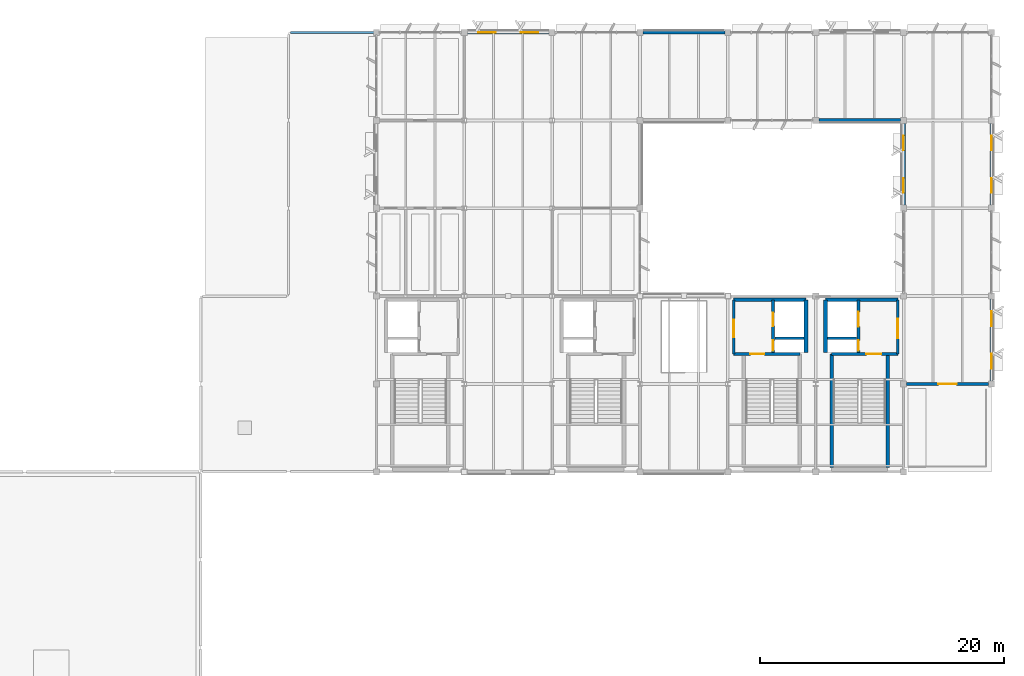
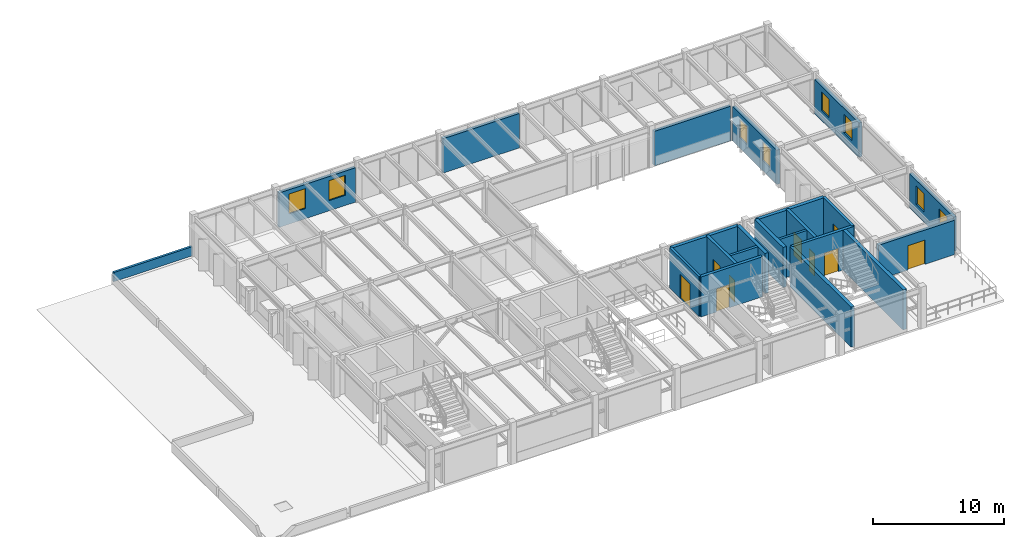
# One storey, part 7 of 23: 22 walls, 9 doors, 8 windows, 17 openings.
"""IFC4 building model written with IfcOpenShell, lengths in metres."""

from ifc_helpers import new_model, si_unit, direction, frame, frame_2d, origin, place, context, subcontext, project, spatial, rectangle, extrude, material, layer, layer_set, type_object, element, fill, save


model = new_model("IFC4")

# Units and contexts
model_context = context("Model", 3, precision=1e-05, world=origin(), true_north=direction((0.0, 1.0)))
body_context = subcontext(model_context, "Body", "Model", "MODEL_VIEW")
ifc_project = project(units=[si_unit("LENGTHUNIT", "METRE"), si_unit("AREAUNIT", "SQUARE_METRE"), si_unit("VOLUMEUNIT", "CUBIC_METRE"), si_unit("PLANEANGLEUNIT", "RADIAN"), si_unit("MASSUNIT", "GRAM", prefix="KILO")], contexts=[model_context])

# Site, building, storey
site_placement = place(None, origin())
site = spatial("IfcSite", under=ifc_project, at=site_placement, CompositionType="ELEMENT")
building_placement = place(site_placement, origin())
building = spatial("IfcBuilding", under=site, at=building_placement, Name="Sillqori Civic Hall", CompositionType="ELEMENT")
storey_placement = place(building_placement, frame((0.0, 0.0, 21.89990234375)))
storey = spatial("IfcBuildingStorey", under=building, at=storey_placement, Name="L06", CompositionType="ELEMENT", Elevation=21.89990234375)

# Wall
ifc_material_1 = material(Name="Concrete C35/45 (H35)", Category="concrete")
ifc_layer_1 = layer(ifc_material_1, 0.219970703125)
ifc_layer_set_1 = layer_set([ifc_layer_1], Name="Concrete C35/45 (H35)")
wall_type_1 = type_object("IfcWallType", Name="CW-SHR-220", PredefinedType="SHEAR", material=ifc_layer_set_1)
wall_1_placement = place(storey_placement, frame((83.050048828125, 90.14990234375, 0.0), z_axis=(0.0, 0.0, 1.0), x_axis=(1.0, 0.0, 0.0)))
element("IfcWall", 1, at=wall_1_placement, inside=storey, type_object=wall_type_1, Name="L06 C7 Lift-riser divider wall", PredefinedType="SHEAR", context=body_context, shape_type="SweptSolid", body=[
    extrude(rectangle(XDim=2.39990234375, YDim=0.219970703125, at=frame_2d((1.199951171875, 0.0))), origin(), (0.0, 0.0, 1.0), 3.72021484375),
])

# Wall, opening, door
wall_2_placement = place(storey_placement, frame((79.679931640625, 88.85009765625, 0.0), z_axis=(0.0, 0.0, 1.0), x_axis=(0.0, 1.0, 0.0)))
wall_2 = element("IfcWall", 2, at=wall_2_placement, inside=storey, type_object=wall_type_1, Name="L06 C7 firefighting lobby enclosure wall", PredefinedType="SHEAR", context=body_context, shape_type="SweptSolid", body=[
    extrude(rectangle(XDim=4.449951171875, YDim=0.219970703125, at=frame_2d((2.22509765625, 0.0))), origin(), (0.0, 0.0, 1.0), 3.72021484375),
])
opening_1_placement = place(wall_2_placement, frame((1.375, 0.0, 0.0)))
opening_1 = element("IfcOpeningElement", 3, at=opening_1_placement, cuts=wall_2, Name="Opening FD-03", PredefinedType="OPENING", context=body_context, shape_type="SweptSolid", body=[
    extrude(rectangle(XDim=1.449951171875, YDim=2.199951171875, at=frame_2d((0.72509765625, 1.10009765625))), frame((0.0, 0.119873046875, 0.0), z_axis=(0.0, -1.0, 0.0), x_axis=(1.0, 0.0, 0.0)), (0.0, 0.0, 1.0), 0.239990234375),
])
ifc_material_2 = material(Name="Double-Leaf Smoke-Seal Lobby Door", Category="steel")
door_type_1 = type_object("IfcDoorType", Name="FDR-LOB-145X220", OperationType="NOTDEFINED", PredefinedType="DOOR", material=ifc_material_2)
door_1_placement = place(opening_1_placement, origin())
door_1 = element("IfcDoor", 4, at=door_1_placement, inside=storey, type_object=door_type_1, Name="L06 C7 firefighting lobby exit door", OperationType="DOUBLE_DOOR_SINGLE_SWING", OverallHeight=2.199951171875, OverallWidth=1.449951171875, PredefinedType="DOOR", context=body_context, shape_type="SweptSolid", body=[
    extrude(rectangle(XDim=1.449951171875, YDim=2.199951171875, at=frame_2d((0.72509765625, 1.10009765625))), frame((0.0, 0.02490234375, 0.0), z_axis=(0.0, -1.0, 0.0), x_axis=(1.0, 0.0, 0.0)), (0.0, 0.0, 1.0), 0.050048828125),
])
fill(opening_1, door_1)

# Wall
wall_3_placement = place(storey_placement, frame((87.35009765625, 90.14990234375, 0.0), z_axis=(0.0, 0.0, 1.0), x_axis=(1.0, 0.0, 0.0)))
element("IfcWall", 5, at=wall_3_placement, inside=storey, type_object=wall_type_1, Name="L06 C8 Lift-riser divider wall", PredefinedType="SHEAR", context=body_context, shape_type="SweptSolid", body=[
    extrude(rectangle(XDim=2.39990234375, YDim=0.219970703125, at=frame_2d((1.199951171875, 0.0))), origin(), (0.0, 0.0, 1.0), 3.72021484375),
])

# Wall, opening, door
wall_4_placement = place(storey_placement, frame((93.1201171875, 93.300048828125, 0.0), z_axis=(0.0, 0.0, 1.0), x_axis=(0.0, -1.0, 0.0)))
wall_4 = element("IfcWall", 6, at=wall_4_placement, inside=storey, type_object=wall_type_1, Name="L06 C8 firefighting lobby enclosure wall", PredefinedType="SHEAR", context=body_context, shape_type="SweptSolid", body=[
    extrude(rectangle(XDim=4.449951171875, YDim=0.219970703125, at=frame_2d((2.22509765625, 0.0))), origin(), (0.0, 0.0, 1.0), 3.72021484375),
])
opening_2_placement = place(wall_4_placement, frame((1.550048828125, 0.0, 0.0)))
opening_2 = element("IfcOpeningElement", 7, at=opening_2_placement, cuts=wall_4, Name="Opening FD-04", PredefinedType="OPENING", context=body_context, shape_type="SweptSolid", body=[
    extrude(rectangle(XDim=1.60009765625, YDim=2.199951171875, at=frame_2d((0.800048828125, 1.10009765625))), frame((0.0, 0.119873046875, 0.0), z_axis=(0.0, -1.0, 0.0), x_axis=(1.0, 0.0, 0.0)), (0.0, 0.0, 1.0), 0.239990234375),
])
ifc_material_3 = material(Name="Double-Leaf Firefighting Lobby Door", Category="steel")
door_type_2 = type_object("IfcDoorType", Name="FDR-LOB-160X220", OperationType="NOTDEFINED", PredefinedType="DOOR", material=ifc_material_3)
door_2_placement = place(opening_2_placement, origin())
door_2 = element("IfcDoor", 8, at=door_2_placement, inside=storey, type_object=door_type_2, Name="L06 C8 firefighting lobby exit door", OperationType="DOUBLE_DOOR_SINGLE_SWING", OverallHeight=2.199951171875, OverallWidth=1.60009765625, PredefinedType="DOOR", context=body_context, shape_type="SweptSolid", body=[
    extrude(rectangle(XDim=1.60009765625, YDim=2.199951171875, at=frame_2d((0.800048828125, 1.10009765625))), frame((0.0, 0.02490234375, 0.0), z_axis=(0.0, -1.0, 0.0), x_axis=(1.0, 0.0, 0.0)), (0.0, 0.0, 1.0), 0.050048828125),
])
fill(opening_2, door_2)

ifc_layer_2 = layer(ifc_material_1, 0.260009765625)
ifc_layer_set_2 = layer_set([ifc_layer_2], Name="Concrete C35/45 (H35)")
wall_type_2 = type_object("IfcWallType", Name="CW-SHR-260", PredefinedType="SHEAR", material=ifc_layer_set_2)
wall_5_placement = place(storey_placement, frame((79.679931640625, 88.85009765625, 0.0), z_axis=(0.0, 0.0, 1.0), x_axis=(1.0, 0.0, 0.0)))
wall_5 = element("IfcWall", 9, at=wall_5_placement, inside=storey, type_object=wall_type_2, Name="L06 C7 Stair-lobby fire wall", PredefinedType="SHEAR", context=body_context, shape_type="SweptSolid", body=[
    extrude(rectangle(XDim=5.41015625, YDim=0.260009765625, at=frame_2d((2.705078125, 0.0))), origin(), (0.0, 0.0, 1.0), 3.72021484375),
])
opening_3_placement = place(wall_5_placement, frame((1.3701171875, 0.0, 0.0)))
opening_3 = element("IfcOpeningElement", 10, at=opening_3_placement, cuts=wall_5, Name="Opening FD-01", PredefinedType="OPENING", context=body_context, shape_type="SweptSolid", body=[
    extrude(rectangle(XDim=1.14990234375, YDim=2.14990234375, at=frame_2d((0.574951171875, 1.074951171875))), frame((0.0, 0.139892578125, 0.0), z_axis=(0.0, -1.0, 0.0), x_axis=(1.0, 0.0, 0.0)), (0.0, 0.0, 1.0), 0.280029296875),
])
ifc_material_4 = material(Name="Galvanized Steel Fire Door FD90S", Category="steel")
door_type_3 = type_object("IfcDoorType", Name="FDR-STR-115X215", OperationType="NOTDEFINED", PredefinedType="DOOR", material=ifc_material_4)
door_3_placement = place(opening_3_placement, origin())
door_3 = element("IfcDoor", 11, at=door_3_placement, inside=storey, type_object=door_type_3, Name="L06 stair ST-07 fire door", OperationType="SINGLE_SWING_RIGHT", OverallHeight=2.14990234375, OverallWidth=1.14990234375, PredefinedType="DOOR", context=body_context, shape_type="SweptSolid", body=[
    extrude(rectangle(XDim=1.14990234375, YDim=2.14990234375, at=frame_2d((0.574951171875, 1.074951171875))), frame((0.0, 0.02490234375, 0.0), z_axis=(0.0, -1.0, 0.0), x_axis=(1.0, 0.0, 0.0)), (0.0, 0.0, 1.0), 0.050048828125),
])
fill(opening_3, door_3)

# Wall, openings, doors
wall_6_placement = place(storey_placement, frame((82.89990234375, 88.97998046875, 0.0), z_axis=(0.0, 0.0, 1.0), x_axis=(0.0, 1.0, 0.0)))
wall_6 = element("IfcWall", 12, at=wall_6_placement, inside=storey, type_object=wall_type_2, Name="L06 C7 Lift landing & riser front wall", PredefinedType="SHEAR", context=body_context, shape_type="SweptSolid", body=[
    extrude(rectangle(XDim=4.320068359375, YDim=0.260009765625, at=frame_2d((2.16015625, 0.0))), origin(), (0.0, 0.0, 1.0), 3.72021484375),
])
opening_4_placement = place(wall_6_placement, frame((2.169921875, 0.0, 0.0)))
opening_4 = element("IfcOpeningElement", 13, at=opening_4_placement, cuts=wall_6, Name="Opening LD-01", PredefinedType="OPENING", context=body_context, shape_type="SweptSolid", body=[
    extrude(rectangle(XDim=1.10009765625, YDim=2.14990234375, at=frame_2d((0.550048828125, 1.074951171875))), frame((0.0, 0.139892578125, 0.0), z_axis=(0.0, -1.0, 0.0), x_axis=(1.0, 0.0, 0.0)), (0.0, 0.0, 1.0), 0.280029296875),
])
opening_5_placement = place(wall_6_placement, frame((0.14501953125, 0.0, 0.0)))
opening_5 = element("IfcOpeningElement", 14, at=opening_5_placement, cuts=wall_6, Name="Opening FD-05", PredefinedType="OPENING", context=body_context, shape_type="SweptSolid", body=[
    extrude(rectangle(XDim=0.85009765625, YDim=2.050048828125, at=frame_2d((0.425048828125, 1.02490234375))), frame((0.0, 0.139892578125, 0.0), z_axis=(0.0, -1.0, 0.0), x_axis=(1.0, 0.0, 0.0)), (0.0, 0.0, 1.0), 0.280029296875),
])
ifc_material_5 = material(Name="Steel Riser Access Fire Door", Category="steel")
door_type_4 = type_object("IfcDoorType", Name="FDR-RSR-085X205", OperationType="NOTDEFINED", PredefinedType="DOOR", material=ifc_material_5)
door_4_placement = place(opening_5_placement, origin())
door_4 = element("IfcDoor", 15, at=door_4_placement, inside=storey, type_object=door_type_4, Name="L06 MEP riser C7 fire access door", OperationType="SINGLE_SWING_LEFT", OverallHeight=2.050048828125, OverallWidth=0.85009765625, PredefinedType="DOOR", context=body_context, shape_type="SweptSolid", body=[
    extrude(rectangle(XDim=0.85009765625, YDim=2.050048828125, at=frame_2d((0.425048828125, 1.02490234375))), frame((0.0, 0.02490234375, 0.0), z_axis=(0.0, -1.0, 0.0), x_axis=(1.0, 0.0, 0.0)), (0.0, 0.0, 1.0), 0.050048828125),
])
fill(opening_5, door_4)
ifc_material_6 = material(Name="Stainless Steel Lift Landing Door", Category="steel")
door_type_5 = type_object("IfcDoorType", Name="LDR-PASS-110X215", OperationType="NOTDEFINED", PredefinedType="DOOR", material=ifc_material_6)
door_5_placement = place(opening_4_placement, origin())
door_5 = element("IfcDoor", 16, at=door_5_placement, inside=storey, type_object=door_type_5, Name="L06 lift LF-04 sliding landing door", OperationType="DOUBLE_DOOR_SLIDING", OverallHeight=2.14990234375, OverallWidth=1.10009765625, PredefinedType="DOOR", context=body_context, shape_type="SweptSolid", body=[
    extrude(rectangle(XDim=1.10009765625, YDim=2.14990234375, at=frame_2d((0.550048828125, 1.074951171875))), frame((0.0, 0.02490234375, 0.0), z_axis=(0.0, -1.0, 0.0), x_axis=(1.0, 0.0, 0.0)), (0.0, 0.0, 1.0), 0.050048828125),
])
fill(opening_4, door_5)

# Wall, opening, door
wall_7_placement = place(storey_placement, frame((87.7099609375, 88.85009765625, 0.0), z_axis=(0.0, 0.0, 1.0), x_axis=(1.0, 0.0, 0.0)))
wall_7 = element("IfcWall", 17, at=wall_7_placement, inside=storey, type_object=wall_type_2, Name="L06 C8 Stair-lobby fire wall", PredefinedType="SHEAR", context=body_context, shape_type="SweptSolid", body=[
    extrude(rectangle(XDim=5.41015625, YDim=0.260009765625, at=frame_2d((2.705078125, 0.0))), origin(), (0.0, 0.0, 1.0), 3.72021484375),
])
opening_6_placement = place(wall_7_placement, frame((2.840087890625, 0.0, 0.0)))
opening_6 = element("IfcOpeningElement", 18, at=opening_6_placement, cuts=wall_7, Name="Opening FD-02", PredefinedType="OPENING", context=body_context, shape_type="SweptSolid", body=[
    extrude(rectangle(XDim=1.219970703125, YDim=2.14990234375, at=frame_2d((0.60986328125, 1.074951171875))), frame((0.0, 0.139892578125, 0.0), z_axis=(0.0, -1.0, 0.0), x_axis=(1.0, 0.0, 0.0)), (0.0, 0.0, 1.0), 0.280029296875),
])
ifc_material_7 = material(Name="Galvanized Steel Fire Door FD120S", Category="steel")
door_type_6 = type_object("IfcDoorType", Name="FDR-STR-122X215", OperationType="NOTDEFINED", PredefinedType="DOOR", material=ifc_material_7)
door_6_placement = place(opening_6_placement, origin())
door_6 = element("IfcDoor", 19, at=door_6_placement, inside=storey, type_object=door_type_6, Name="L06 stair ST-08 fire door", OperationType="SINGLE_SWING_RIGHT", OverallHeight=2.14990234375, OverallWidth=1.219970703125, PredefinedType="DOOR", context=body_context, shape_type="SweptSolid", body=[
    extrude(rectangle(XDim=1.219970703125, YDim=2.14990234375, at=frame_2d((0.60986328125, 1.074951171875))), frame((0.0, 0.02490234375, 0.0), z_axis=(0.0, -1.0, 0.0), x_axis=(1.0, 0.0, 0.0)), (0.0, 0.0, 1.0), 0.050048828125),
])
fill(opening_6, door_6)

# Wall, openings, doors
wall_8_placement = place(storey_placement, frame((89.89990234375, 93.300048828125, 0.0), z_axis=(0.0, 0.0, 1.0), x_axis=(0.0, -1.0, 0.0)))
wall_8 = element("IfcWall", 20, at=wall_8_placement, inside=storey, type_object=wall_type_2, Name="L06 C8 Lift landing & riser front wall", PredefinedType="SHEAR", context=body_context, shape_type="SweptSolid", body=[
    extrude(rectangle(XDim=4.320068359375, YDim=0.260009765625, at=frame_2d((2.16015625, 0.0))), origin(), (0.0, 0.0, 1.0), 3.72021484375),
])
opening_7_placement = place(wall_8_placement, frame((1.0, 0.0, 0.0)))
opening_7 = element("IfcOpeningElement", 21, at=opening_7_placement, cuts=wall_8, Name="Opening LD-02", PredefinedType="OPENING", context=body_context, shape_type="SweptSolid", body=[
    extrude(rectangle(XDim=1.199951171875, YDim=2.14990234375, at=frame_2d((0.60009765625, 1.074951171875))), frame((0.0, 0.139892578125, 0.0), z_axis=(0.0, -1.0, 0.0), x_axis=(1.0, 0.0, 0.0)), (0.0, 0.0, 1.0), 0.280029296875),
])
opening_8_placement = place(wall_8_placement, frame((3.324951171875, 0.0, 0.0)))
opening_8 = element("IfcOpeningElement", 22, at=opening_8_placement, cuts=wall_8, Name="Opening FD-05", PredefinedType="OPENING", context=body_context, shape_type="SweptSolid", body=[
    extrude(rectangle(XDim=0.85009765625, YDim=2.050048828125, at=frame_2d((0.425048828125, 1.02490234375))), frame((0.0, 0.139892578125, 0.0), z_axis=(0.0, -1.0, 0.0), x_axis=(1.0, 0.0, 0.0)), (0.0, 0.0, 1.0), 0.280029296875),
])
door_7_placement = place(opening_8_placement, origin())
door_7 = element("IfcDoor", 23, at=door_7_placement, inside=storey, type_object=door_type_4, Name="L06 MEP riser C8 fire access door", OperationType="SINGLE_SWING_LEFT", OverallHeight=2.050048828125, OverallWidth=0.85009765625, PredefinedType="DOOR", context=body_context, shape_type="SweptSolid", body=[
    extrude(rectangle(XDim=0.85009765625, YDim=2.050048828125, at=frame_2d((0.425048828125, 1.02490234375))), frame((0.0, 0.02490234375, 0.0), z_axis=(0.0, -1.0, 0.0), x_axis=(1.0, 0.0, 0.0)), (0.0, 0.0, 1.0), 0.050048828125),
])
fill(opening_8, door_7)
ifc_material_8 = material(Name="Firefighting Lift Landing Door", Category="steel")
door_type_7 = type_object("IfcDoorType", Name="LDR-FIRE-120X215", OperationType="NOTDEFINED", PredefinedType="DOOR", material=ifc_material_8)
door_8_placement = place(opening_7_placement, origin())
door_8 = element("IfcDoor", 24, at=door_8_placement, inside=storey, type_object=door_type_7, Name="L06 lift LF-02 sliding landing door", OperationType="DOUBLE_DOOR_SLIDING", OverallHeight=2.14990234375, OverallWidth=1.199951171875, PredefinedType="DOOR", context=body_context, shape_type="SweptSolid", body=[
    extrude(rectangle(XDim=1.199951171875, YDim=2.14990234375, at=frame_2d((0.60009765625, 1.074951171875))), frame((0.0, 0.02490234375, 0.0), z_axis=(0.0, -1.0, 0.0), x_axis=(1.0, 0.0, 0.0)), (0.0, 0.0, 1.0), 0.050048828125),
])
fill(opening_7, door_8)

# Walls
ifc_layer_3 = layer(ifc_material_1, 0.300048828125)
ifc_layer_set_3 = layer_set([ifc_layer_3], Name="Concrete C35/45 (H35)")
wall_type_3 = type_object("IfcWallType", Name="CW-SHR-300", PredefinedType="SHEAR", material=ifc_layer_set_3)
wall_9_placement = place(storey_placement, frame((85.60009765625, 88.97998046875, 0.0), z_axis=(0.0, 0.0, 1.0), x_axis=(0.0, 1.0, 0.0)))
element("IfcWall", 25, at=wall_9_placement, inside=storey, type_object=wall_type_3, Name="L06 C7 Lift shaft east shear wall", PredefinedType="SHEAR", context=body_context, shape_type="SweptSolid", body=[
    extrude(rectangle(XDim=4.320068359375, YDim=0.300048828125, at=frame_2d((2.16015625, 0.0))), origin(), (0.0, 0.0, 1.0), 3.72021484375),
])
wall_10_placement = place(storey_placement, frame((79.679931640625, 93.300048828125, 0.0), z_axis=(0.0, 0.0, 1.0), x_axis=(1.0, 0.0, 0.0)))
element("IfcWall", 26, at=wall_10_placement, inside=storey, type_object=wall_type_3, Name="L06 C7 Core north shear wall", PredefinedType="SHEAR", context=body_context, shape_type="SweptSolid", body=[
    extrude(rectangle(XDim=5.920166015625, YDim=0.300048828125, at=frame_2d((2.9599609375, 0.0))), origin(), (0.0, 0.0, 1.0), 3.72021484375),
])
for number, where, z_axis, x_axis, name in (
    (27, (87.7099609375, 79.550048828125, 0.0), (0.0, 0.0, 1.0), (0.0, 1.0, 0.0), "L06 C8 Stair west shear wall"),
    (28, (92.2900390625, 79.550048828125, 0.0), (0.0, 0.0, 1.0), (0.0, 1.0, 0.0), "L06 C8 Stair east shear wall"),
):
    element("IfcWall", number, at=place(storey_placement, frame(where, z_axis=z_axis, x_axis=x_axis)), inside=storey, type_object=wall_type_3, Name=name, PredefinedType="SHEAR", context=body_context, shape_type="SweptSolid", body=[
        extrude(rectangle(XDim=9.300048828125, YDim=0.300048828125, at=frame_2d((4.64990234375, 0.0))), origin(), (0.0, 0.0, 1.0), 3.72021484375),
    ])
wall_11_placement = place(storey_placement, frame((87.199951171875, 88.97998046875, 0.0), z_axis=(0.0, 0.0, 1.0), x_axis=(0.0, 1.0, 0.0)))
element("IfcWall", 29, at=wall_11_placement, inside=storey, type_object=wall_type_3, Name="L06 C8 Lift shaft west shear wall", PredefinedType="SHEAR", context=body_context, shape_type="SweptSolid", body=[
    extrude(rectangle(XDim=4.320068359375, YDim=0.300048828125, at=frame_2d((2.16015625, 0.0))), origin(), (0.0, 0.0, 1.0), 3.72021484375),
])
wall_12_placement = place(storey_placement, frame((87.199951171875, 93.300048828125, 0.0), z_axis=(0.0, 0.0, 1.0), x_axis=(1.0, 0.0, 0.0)))
element("IfcWall", 30, at=wall_12_placement, inside=storey, type_object=wall_type_3, Name="L06 C8 Core north shear wall", PredefinedType="SHEAR", context=body_context, shape_type="SweptSolid", body=[
    extrude(rectangle(XDim=5.920166015625, YDim=0.300048828125, at=frame_2d((2.9599609375, 0.0))), origin(), (0.0, 0.0, 1.0), 3.72021484375),
])

# Wall, openings, windows
ifc_material_9 = material(Name="Precast concrete C40/50 (H40)", Category="concrete")
ifc_layer_4 = layer(ifc_material_9, 0.280029296875)
ifc_layer_set_4 = layer_set([ifc_layer_4], Name="Precast concrete C40/50 (H40)")
wall_type_4 = type_object("IfcWallType", Name="EW-LIME-280", PredefinedType="SOLIDWALL", material=ifc_layer_set_4)
wall_13_placement = place(storey_placement, frame((57.85009765625, 115.199951171875, 0.0), z_axis=(0.0, 0.0, 1.0), x_axis=(1.0, 0.0, 0.0)))
wall_13 = element("IfcWall", 31, at=wall_13_placement, inside=storey, type_object=wall_type_4, Name="L06 V4 exterior wall L06-08-15-N", PredefinedType="SOLIDWALL", context=body_context, shape_type="SweptSolid", body=[
    extrude(rectangle(XDim=6.699951171875, YDim=0.280029296875, at=frame_2d((3.35009765625, 0.0))), origin(), (0.0, 0.0, 1.0), 3.192138671875),
])
opening_9_placement = place(wall_13_placement, frame((0.883056640625, 0.0, 0.949951171875)))
opening_9 = element("IfcOpeningElement", 32, at=opening_9_placement, cuts=wall_13, Name="Opening W-43", PredefinedType="OPENING", context=body_context, shape_type="SweptSolid", body=[
    extrude(rectangle(XDim=1.449951171875, YDim=1.85009765625, at=frame_2d((0.72509765625, 0.925048828125))), frame((0.0, 0.14990234375, 0.0), z_axis=(0.0, -1.0, 0.0), x_axis=(1.0, 0.0, 0.0)), (0.0, 0.0, 1.0), 0.300048828125),
])
opening_10_placement = place(wall_13_placement, frame((4.366943359375, 0.0, 0.949951171875)))
opening_10 = element("IfcOpeningElement", 33, at=opening_10_placement, cuts=wall_13, Name="Opening W-43", PredefinedType="OPENING", context=body_context, shape_type="SweptSolid", body=[
    extrude(rectangle(XDim=1.449951171875, YDim=1.85009765625, at=frame_2d((0.72509765625, 0.925048828125))), frame((0.0, 0.14990234375, 0.0), z_axis=(0.0, -1.0, 0.0), x_axis=(1.0, 0.0, 0.0)), (0.0, 0.0, 1.0), 0.300048828125),
])
ifc_material_10 = material(Name="Thermally Broken Aluminium Low-E Window", Category="aluminium")
window_type_1 = type_object("IfcWindowType", Name="WIN-GD-145X185", PartitioningType="SINGLE_PANEL", PredefinedType="WINDOW", material=ifc_material_10)
window_1_placement = place(opening_9_placement, origin())
window_1 = element("IfcWindow", 34, at=window_1_placement, inside=storey, type_object=window_type_1, Name="L06 V4 window L06-08-15-N.1", OverallHeight=1.85009765625, OverallWidth=1.449951171875, PartitioningType="SINGLE_PANEL", PredefinedType="WINDOW", context=body_context, shape_type="SweptSolid", body=[
    extrude(rectangle(XDim=1.449951171875, YDim=1.85009765625, at=frame_2d((0.72509765625, 0.925048828125))), frame((0.0, 0.030029296875, 0.0), z_axis=(0.0, -1.0, 0.0), x_axis=(1.0, 0.0, 0.0)), (0.0, 0.0, 1.0), 0.06005859375),
])
fill(opening_9, window_1)
window_2_placement = place(opening_10_placement, origin())
window_2 = element("IfcWindow", 35, at=window_2_placement, inside=storey, type_object=window_type_1, Name="L06 V4 window L06-08-15-N.2", OverallHeight=1.85009765625, OverallWidth=1.449951171875, PartitioningType="SINGLE_PANEL", PredefinedType="WINDOW", context=body_context, shape_type="SweptSolid", body=[
    extrude(rectangle(XDim=1.449951171875, YDim=1.85009765625, at=frame_2d((0.72509765625, 0.925048828125))), frame((0.0, 0.030029296875, 0.0), z_axis=(0.0, -1.0, 0.0), x_axis=(1.0, 0.0, 0.0)), (0.0, 0.0, 1.0), 0.06005859375),
])
fill(opening_10, window_2)

# Walls
wall_14_placement = place(storey_placement, frame((72.25, 115.199951171875, 0.0), z_axis=(0.0, 0.0, 1.0), x_axis=(1.0, 0.0, 0.0)))
element("IfcWall", 36, at=wall_14_placement, inside=storey, type_object=wall_type_4, Name="L06 V4 exterior wall L06-10-15-N", PredefinedType="SOLIDWALL", context=body_context, shape_type="SweptSolid", body=[
    extrude(rectangle(XDim=6.699951171875, YDim=0.280029296875, at=frame_2d((3.35009765625, 0.0))), origin(), (0.0, 0.0, 1.0), 3.192138671875),
])
wall_15_placement = place(storey_placement, frame((93.35009765625, 108.0, 0.0), z_axis=(0.0, 0.0, 1.0), x_axis=(-1.0, 0.0, 0.0)))
element("IfcWall", 37, at=wall_15_placement, inside=storey, type_object=wall_type_4, Name="L06 V4 exterior wall L06-12-15-S", PredefinedType="SOLIDWALL", context=body_context, shape_type="SweptSolid", body=[
    extrude(rectangle(XDim=6.7001953125, YDim=0.280029296875, at=frame_2d((3.35009765625, 0.0))), origin(), (0.0, 0.0, 1.0), 3.192138671875),
])

# Wall, opening, door
wall_16_placement = place(storey_placement, frame((100.550048828125, 86.39990234375, 0.0), z_axis=(0.0, 0.0, 1.0), x_axis=(-1.0, 0.0, 0.0)))
wall_16 = element("IfcWall", 38, at=wall_16_placement, inside=storey, type_object=wall_type_4, Name="L06 V4 exterior wall L06-13-12-S", PredefinedType="SOLIDWALL", context=body_context, shape_type="SweptSolid", body=[
    extrude(rectangle(XDim=6.699951171875, YDim=0.280029296875, at=frame_2d((3.35009765625, 0.0))), origin(), (0.0, 0.0, 1.0), 3.192138671875),
])
opening_11_placement = place(wall_16_placement, frame((2.60009765625, 0.0, 0.0)))
opening_11 = element("IfcOpeningElement", 39, at=opening_11_placement, cuts=wall_16, Name="Opening ED-06", PredefinedType="OPENING", context=body_context, shape_type="SweptSolid", body=[
    extrude(rectangle(XDim=1.5, YDim=2.25, at=frame_2d((0.75, 1.125))), frame((0.0, 0.14990234375, 0.0), z_axis=(0.0, -1.0, 0.0), x_axis=(1.0, 0.0, 0.0)), (0.0, 0.0, 1.0), 0.300048828125),
])
ifc_material_11 = material(Name="Thermally Broken Anodized Aluminium and Laminated Glass", Category="aluminium")
door_type_8 = type_object("IfcDoorType", Name="EDR-TERR-150X225", OperationType="NOTDEFINED", PredefinedType="DOOR", material=ifc_material_11)
door_9_placement = place(opening_11_placement, origin())
door_9 = element("IfcDoor", 40, at=door_9_placement, inside=storey, type_object=door_type_8, Name="Mayoral East Setback Terrace Access Door", OperationType="DOUBLE_DOOR_SINGLE_SWING", OverallHeight=2.25, OverallWidth=1.5, PredefinedType="DOOR", context=body_context, shape_type="SweptSolid", body=[
    extrude(rectangle(XDim=1.5, YDim=2.25, at=frame_2d((0.75, 1.125))), frame((0.0, 0.02490234375, 0.0), z_axis=(0.0, -1.0, 0.0), x_axis=(1.0, 0.0, 0.0)), (0.0, 0.0, 1.0), 0.050048828125),
])
fill(opening_11, door_9)

# Wall, openings, windows
wall_17_placement = place(storey_placement, frame((100.800048828125, 93.35009765625, 0.0), z_axis=(0.0, 0.0, 1.0), x_axis=(0.0, -1.0, 0.0)))
wall_17 = element("IfcWall", 41, at=wall_17_placement, inside=storey, type_object=wall_type_4, Name="L06 V4 exterior wall L06-13-12-E", PredefinedType="SOLIDWALL", context=body_context, shape_type="SweptSolid", body=[
    extrude(rectangle(XDim=6.7001953125, YDim=0.280029296875, at=frame_2d((3.35009765625, 0.0))), origin(), (0.0, 0.0, 1.0), 3.192138671875),
])
opening_12_placement = place(wall_17_placement, frame((1.008056640625, 0.0, 0.949951171875)))
opening_12 = element("IfcOpeningElement", 42, at=opening_12_placement, cuts=wall_17, Name="Opening W-22", PredefinedType="OPENING", context=body_context, shape_type="SweptSolid", body=[
    extrude(rectangle(XDim=1.199951171875, YDim=1.699951171875, at=frame_2d((0.60009765625, 0.85009765625))), frame((0.0, 0.14990234375, 0.0), z_axis=(0.0, -1.0, 0.0), x_axis=(1.0, 0.0, 0.0)), (0.0, 0.0, 1.0), 0.300048828125),
])
opening_13_placement = place(wall_17_placement, frame((4.491943359375, 0.0, 0.949951171875)))
opening_13 = element("IfcOpeningElement", 43, at=opening_13_placement, cuts=wall_17, Name="Opening W-22", PredefinedType="OPENING", context=body_context, shape_type="SweptSolid", body=[
    extrude(rectangle(XDim=1.199951171875, YDim=1.699951171875, at=frame_2d((0.60009765625, 0.85009765625))), frame((0.0, 0.14990234375, 0.0), z_axis=(0.0, -1.0, 0.0), x_axis=(1.0, 0.0, 0.0)), (0.0, 0.0, 1.0), 0.300048828125),
])
window_type_2 = type_object("IfcWindowType", Name="WIN-V5-120X170", PartitioningType="SINGLE_PANEL", PredefinedType="WINDOW", material=ifc_material_10)
window_3_placement = place(opening_12_placement, origin())
window_3 = element("IfcWindow", 44, at=window_3_placement, inside=storey, type_object=window_type_2, Name="L06 V4 window L06-13-12-E.1", OverallHeight=1.699951171875, OverallWidth=1.199951171875, PartitioningType="SINGLE_PANEL", PredefinedType="WINDOW", context=body_context, shape_type="SweptSolid", body=[
    extrude(rectangle(XDim=1.199951171875, YDim=1.699951171875, at=frame_2d((0.60009765625, 0.85009765625))), frame((0.0, 0.030029296875, 0.0), z_axis=(0.0, -1.0, 0.0), x_axis=(1.0, 0.0, 0.0)), (0.0, 0.0, 1.0), 0.06005859375),
])
fill(opening_12, window_3)
window_4_placement = place(opening_13_placement, origin())
window_4 = element("IfcWindow", 45, at=window_4_placement, inside=storey, type_object=window_type_2, Name="L06 V4 window L06-13-12-E.2", OverallHeight=1.699951171875, OverallWidth=1.199951171875, PartitioningType="SINGLE_PANEL", PredefinedType="WINDOW", context=body_context, shape_type="SweptSolid", body=[
    extrude(rectangle(XDim=1.199951171875, YDim=1.699951171875, at=frame_2d((0.60009765625, 0.85009765625))), frame((0.0, 0.030029296875, 0.0), z_axis=(0.0, -1.0, 0.0), x_axis=(1.0, 0.0, 0.0)), (0.0, 0.0, 1.0), 0.06005859375),
])
fill(opening_13, window_4)

wall_18_placement = place(storey_placement, frame((93.60009765625, 101.050048828125, 0.0), z_axis=(0.0, 0.0, 1.0), x_axis=(0.0, 1.0, 0.0)))
wall_18 = element("IfcWall", 46, at=wall_18_placement, inside=storey, type_object=wall_type_4, Name="L06 V4 exterior wall L06-13-14-W", PredefinedType="SOLIDWALL", context=body_context, shape_type="SweptSolid", body=[
    extrude(rectangle(XDim=6.699951171875, YDim=0.280029296875, at=frame_2d((3.35009765625, 0.0))), origin(), (0.0, 0.0, 1.0), 3.192138671875),
])
opening_14_placement = place(wall_18_placement, frame((1.008056640625, 0.0, 0.949951171875)))
opening_14 = element("IfcOpeningElement", 47, at=opening_14_placement, cuts=wall_18, Name="Opening W-22", PredefinedType="OPENING", context=body_context, shape_type="SweptSolid", body=[
    extrude(rectangle(XDim=1.199951171875, YDim=1.699951171875, at=frame_2d((0.60009765625, 0.85009765625))), frame((0.0, 0.14990234375, 0.0), z_axis=(0.0, -1.0, 0.0), x_axis=(1.0, 0.0, 0.0)), (0.0, 0.0, 1.0), 0.300048828125),
])
opening_15_placement = place(wall_18_placement, frame((4.491943359375, 0.0, 0.949951171875)))
opening_15 = element("IfcOpeningElement", 48, at=opening_15_placement, cuts=wall_18, Name="Opening W-22", PredefinedType="OPENING", context=body_context, shape_type="SweptSolid", body=[
    extrude(rectangle(XDim=1.199951171875, YDim=1.699951171875, at=frame_2d((0.60009765625, 0.85009765625))), frame((0.0, 0.14990234375, 0.0), z_axis=(0.0, -1.0, 0.0), x_axis=(1.0, 0.0, 0.0)), (0.0, 0.0, 1.0), 0.300048828125),
])
window_5_placement = place(opening_14_placement, origin())
window_5 = element("IfcWindow", 49, at=window_5_placement, inside=storey, type_object=window_type_2, Name="L06 V4 window L06-13-14-W.1", OverallHeight=1.699951171875, OverallWidth=1.199951171875, PartitioningType="SINGLE_PANEL", PredefinedType="WINDOW", context=body_context, shape_type="SweptSolid", body=[
    extrude(rectangle(XDim=1.199951171875, YDim=1.699951171875, at=frame_2d((0.60009765625, 0.85009765625))), frame((0.0, 0.030029296875, 0.0), z_axis=(0.0, -1.0, 0.0), x_axis=(1.0, 0.0, 0.0)), (0.0, 0.0, 1.0), 0.06005859375),
])
fill(opening_14, window_5)
window_6_placement = place(opening_15_placement, origin())
window_6 = element("IfcWindow", 50, at=window_6_placement, inside=storey, type_object=window_type_2, Name="L06 V4 window L06-13-14-W.2", OverallHeight=1.699951171875, OverallWidth=1.199951171875, PartitioningType="SINGLE_PANEL", PredefinedType="WINDOW", context=body_context, shape_type="SweptSolid", body=[
    extrude(rectangle(XDim=1.199951171875, YDim=1.699951171875, at=frame_2d((0.60009765625, 0.85009765625))), frame((0.0, 0.030029296875, 0.0), z_axis=(0.0, -1.0, 0.0), x_axis=(1.0, 0.0, 0.0)), (0.0, 0.0, 1.0), 0.06005859375),
])
fill(opening_15, window_6)

wall_19_placement = place(storey_placement, frame((100.800048828125, 107.75, 0.0), z_axis=(0.0, 0.0, 1.0), x_axis=(0.0, -1.0, 0.0)))
wall_19 = element("IfcWall", 51, at=wall_19_placement, inside=storey, type_object=wall_type_4, Name="L06 V4 exterior wall L06-13-14-E", PredefinedType="SOLIDWALL", context=body_context, shape_type="SweptSolid", body=[
    extrude(rectangle(XDim=6.699951171875, YDim=0.280029296875, at=frame_2d((3.35009765625, 0.0))), origin(), (0.0, 0.0, 1.0), 3.192138671875),
])
opening_16_placement = place(wall_19_placement, frame((1.008056640625, 0.0, 0.949951171875)))
opening_16 = element("IfcOpeningElement", 52, at=opening_16_placement, cuts=wall_19, Name="Opening W-22", PredefinedType="OPENING", context=body_context, shape_type="SweptSolid", body=[
    extrude(rectangle(XDim=1.199951171875, YDim=1.699951171875, at=frame_2d((0.60009765625, 0.85009765625))), frame((0.0, 0.14990234375, 0.0), z_axis=(0.0, -1.0, 0.0), x_axis=(1.0, 0.0, 0.0)), (0.0, 0.0, 1.0), 0.300048828125),
])
opening_17_placement = place(wall_19_placement, frame((4.491943359375, 0.0, 0.949951171875)))
opening_17 = element("IfcOpeningElement", 53, at=opening_17_placement, cuts=wall_19, Name="Opening W-22", PredefinedType="OPENING", context=body_context, shape_type="SweptSolid", body=[
    extrude(rectangle(XDim=1.199951171875, YDim=1.699951171875, at=frame_2d((0.60009765625, 0.85009765625))), frame((0.0, 0.14990234375, 0.0), z_axis=(0.0, -1.0, 0.0), x_axis=(1.0, 0.0, 0.0)), (0.0, 0.0, 1.0), 0.300048828125),
])
window_7_placement = place(opening_16_placement, origin())
window_7 = element("IfcWindow", 54, at=window_7_placement, inside=storey, type_object=window_type_2, Name="L06 V4 window L06-13-14-E.1", OverallHeight=1.699951171875, OverallWidth=1.199951171875, PartitioningType="SINGLE_PANEL", PredefinedType="WINDOW", context=body_context, shape_type="SweptSolid", body=[
    extrude(rectangle(XDim=1.199951171875, YDim=1.699951171875, at=frame_2d((0.60009765625, 0.85009765625))), frame((0.0, 0.030029296875, 0.0), z_axis=(0.0, -1.0, 0.0), x_axis=(1.0, 0.0, 0.0)), (0.0, 0.0, 1.0), 0.06005859375),
])
fill(opening_16, window_7)
window_8_placement = place(opening_17_placement, origin())
window_8 = element("IfcWindow", 55, at=window_8_placement, inside=storey, type_object=window_type_2, Name="L06 V4 window L06-13-14-E.2", OverallHeight=1.699951171875, OverallWidth=1.199951171875, PartitioningType="SINGLE_PANEL", PredefinedType="WINDOW", context=body_context, shape_type="SweptSolid", body=[
    extrude(rectangle(XDim=1.199951171875, YDim=1.699951171875, at=frame_2d((0.60009765625, 0.85009765625))), frame((0.0, 0.030029296875, 0.0), z_axis=(0.0, -1.0, 0.0), x_axis=(1.0, 0.0, 0.0)), (0.0, 0.0, 1.0), 0.06005859375),
])
fill(opening_17, window_8)

# Wall
ifc_layer_5 = layer(ifc_material_9, 0.199951171875)
ifc_layer_set_5 = layer_set([ifc_layer_5], Name="Precast concrete C40/50 (H40)")
wall_type_5 = type_object("IfcWallType", Name="WP-PAR-200", PredefinedType="PARAPET", material=ifc_layer_set_5)
wall_20_placement = place(storey_placement, frame((43.35009765625, 115.199951171875, 0.0), z_axis=(0.0, 0.0, 1.0), x_axis=(1.0, 0.0, 0.0)))
element("IfcWall", 56, at=wall_20_placement, inside=storey, type_object=wall_type_5, Name="L06 roof parapet 07", PredefinedType="PARAPET", context=body_context, shape_type="SweptSolid", body=[
    extrude(rectangle(XDim=6.89990234375, YDim=0.199951171875, at=frame_2d((3.449951171875, 0.0))), origin(), (0.0, 0.0, 1.0), 0.85009765625),
])

save(model, "model.ifc")
